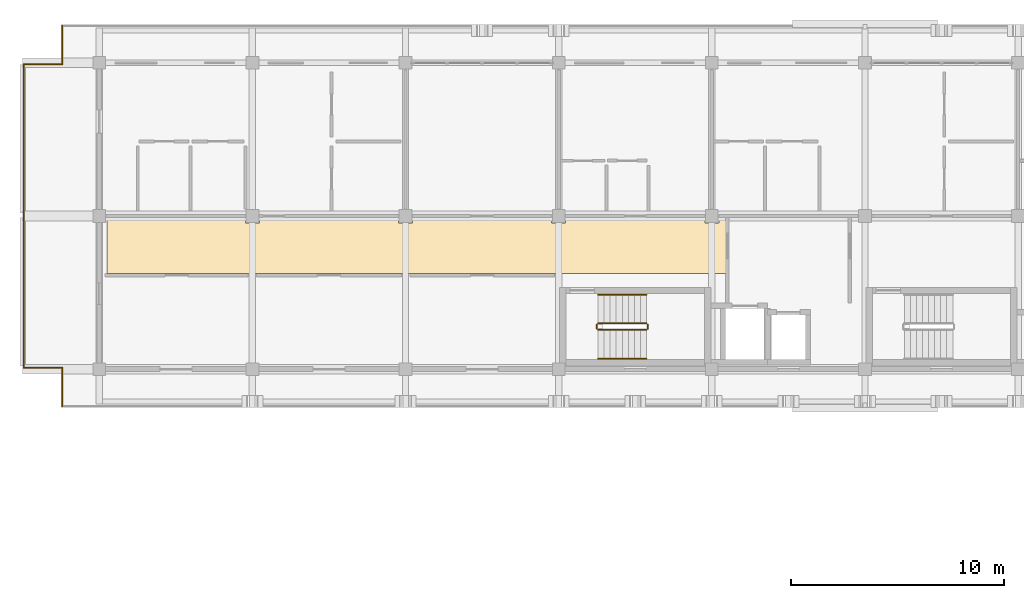
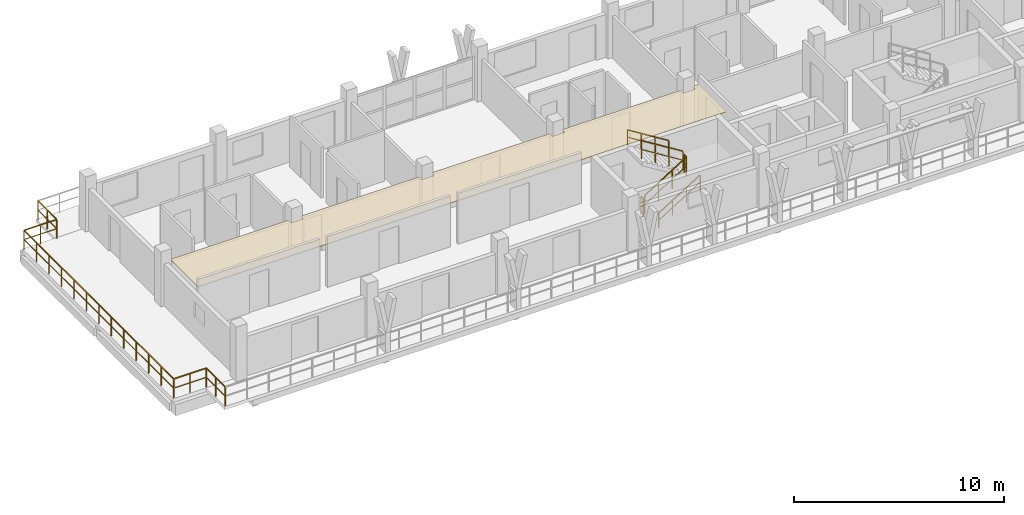
# One storey, part 49 of 56: 11 railings, 1 covering.
"""IFC4 building model written with IfcOpenShell, lengths in metres."""

from ifc_helpers import new_model, si_unit, direction, frame, origin, origin_2d, place, context, subcontext, project, spatial, polyline, rectangle, outline, extrude, material, layer, layer_set, type_object, element, save


model = new_model("IFC4")

# Units and contexts
model_context = context("Model", 3, precision=1e-05, world=origin(), true_north=direction((0.0, 1.0)))
body_context = subcontext(model_context, "Body", "Model", "MODEL_VIEW")
ifc_project = project(units=[si_unit("LENGTHUNIT", "METRE"), si_unit("AREAUNIT", "SQUARE_METRE"), si_unit("VOLUMEUNIT", "CUBIC_METRE"), si_unit("PLANEANGLEUNIT", "RADIAN"), si_unit("MASSUNIT", "GRAM", prefix="KILO")], contexts=[model_context])

# Site, building, storey
site_placement = place(None, origin())
site = spatial("IfcSite", under=ifc_project, at=site_placement, CompositionType="ELEMENT")
building_placement = place(site_placement, origin())
building = spatial("IfcBuilding", under=site, at=building_placement, Name="Suanplinth Sawtooth Commons", CompositionType="ELEMENT")
storey_placement = place(building_placement, frame((0.0, 0.0, 34.800048828125)))
storey = spatial("IfcBuildingStorey", under=building, at=storey_placement, Name="L10", CompositionType="ELEMENT", Elevation=34.800048828125)

# Covering
ifc_material_1 = material(Name="Mineral fibre acoustic tile")
ifc_layer = layer(ifc_material_1, 0.0400390625, Name="Perforated mineral-fibre acoustic suspended ceiling")
ifc_layer_set = layer_set([ifc_layer], Name="Mineral fibre acoustic tile")
covering_type = type_object("IfcCoveringType", Name="CV-CE01", PredefinedType="CEILING", material=ifc_layer_set)
covering_placement = place(storey_placement, frame((0.0, 0.0, 2.3798828125)))
element("IfcCovering", 1, at=covering_placement, inside=storey, type_object=covering_type, Name="L10 Block A Corridor Acoustic Ceiling", PredefinedType="CEILING", context=body_context, shape_type="SweptSolid", body=[
    extrude(outline(polyline([(21.9599609375, 112.5), (21.9599609375, 115.1201171875), (28.469970703125, 115.1201171875), (28.469970703125, 114.8701171875), (29.1298828125, 114.8701171875), (29.1298828125, 115.1201171875), (35.669921875, 115.1201171875), (35.669921875, 114.8701171875), (36.330078125, 114.8701171875), (36.330078125, 115.1201171875), (42.8701171875, 115.1201171875), (42.8701171875, 114.8701171875), (43.530029296875, 114.8701171875), (43.530029296875, 115.1201171875), (50.070068359375, 115.1201171875), (50.070068359375, 114.8701171875), (50.72998046875, 114.8701171875), (50.72998046875, 115.1201171875), (51.080078125, 115.1201171875), (51.080078125, 112.5), (21.9599609375, 112.5)])), origin(), (0.0, 0.0, 1.0), 0.0400390625),
])

# Railings
ifc_material_2 = material(Name="Powder-coated galvanized steel", Category="steel")
railing_type_1 = type_object("IfcRailingType", Name="GR-01", PredefinedType="BALUSTRADE", material=ifc_material_2)
railing_1_placement = place(storey_placement, frame((19.860107421875, 108.06005859375, 0.0)))
element("IfcRailing", 2, at=railing_1_placement, inside=storey, type_object=railing_type_1, Name="L10 Block A Perimeter Balustrade 1", PredefinedType="BALUSTRADE", context=body_context, shape_type="SweptSolid", body=[
    extrude(rectangle(XDim=0.048095703125, YDim=0.048095703125, at=origin_2d()), frame((0.0, 0.0, 1.09619140625), z_axis=(-1.0, 0.0, 0.0), x_axis=(0.0, -1.0, 0.0)), (0.0, 0.0, 1.0), 1.800048828125),
    extrude(rectangle(XDim=0.03369140625, YDim=0.03369140625, at=origin_2d()), frame((0.0, 0.0, 0.56005859375), z_axis=(-1.0, 0.0, 0.0), x_axis=(0.0, -1.0, 0.0)), (0.0, 0.0, 1.0), 1.800048828125),
    extrude(rectangle(XDim=0.0419921875, YDim=0.0419921875, at=origin_2d()), origin(), (0.0, 0.0, 1.0), 1.072021484375),
    extrude(rectangle(XDim=0.0419921875, YDim=0.0419921875, at=origin_2d()), frame((-0.89990234375, 0.0, 0.0)), (0.0, 0.0, 1.0), 1.072021484375),
    extrude(rectangle(XDim=0.0419921875, YDim=0.0419921875, at=origin_2d()), frame((-1.800048828125, 0.0, 0.0)), (0.0, 0.0, 1.0), 1.072021484375),
])
railing_2_placement = place(storey_placement, frame((18.06005859375, 108.06005859375, 0.0)))
element("IfcRailing", 3, at=railing_2_placement, inside=storey, type_object=railing_type_1, Name="L10 Block A Perimeter Balustrade 2", PredefinedType="BALUSTRADE", context=body_context, shape_type="SweptSolid", body=[
    extrude(rectangle(XDim=0.048095703125, YDim=0.048095703125, at=origin_2d()), frame((0.0, 0.0, 1.09619140625), z_axis=(0.0, 1.0, 0.0), x_axis=(-1.0, 0.0, 0.0)), (0.0, 0.0, 1.0), 14.280029296875),
    extrude(rectangle(XDim=0.03369140625, YDim=0.03369140625, at=origin_2d()), frame((0.0, 0.0, 0.56005859375), z_axis=(0.0, 1.0, 0.0), x_axis=(-1.0, 0.0, 0.0)), (0.0, 0.0, 1.0), 14.280029296875),
    extrude(rectangle(XDim=0.0419921875, YDim=0.0419921875, at=origin_2d()), origin(), (0.0, 0.0, 1.0), 1.072021484375),
    extrude(rectangle(XDim=0.0419921875, YDim=0.0419921875, at=origin_2d()), frame((0.0, 1.18994140625, 0.0)), (0.0, 0.0, 1.0), 1.072021484375),
    extrude(rectangle(XDim=0.0419921875, YDim=0.0419921875, at=origin_2d()), frame((0.0, 2.3798828125, 0.0)), (0.0, 0.0, 1.0), 1.072021484375),
    extrude(rectangle(XDim=0.0419921875, YDim=0.0419921875, at=origin_2d()), frame((0.0, 3.570068359375, 0.0)), (0.0, 0.0, 1.0), 1.072021484375),
    extrude(rectangle(XDim=0.0419921875, YDim=0.0419921875, at=origin_2d()), frame((0.0, 4.760009765625, 0.0)), (0.0, 0.0, 1.0), 1.072021484375),
    extrude(rectangle(XDim=0.0419921875, YDim=0.0419921875, at=origin_2d()), frame((0.0, 5.949951171875, 0.0)), (0.0, 0.0, 1.0), 1.072021484375),
    extrude(rectangle(XDim=0.0419921875, YDim=0.0419921875, at=origin_2d()), frame((0.0, 7.14013671875, 0.0)), (0.0, 0.0, 1.0), 1.072021484375),
    extrude(rectangle(XDim=0.0419921875, YDim=0.0419921875, at=origin_2d()), frame((0.0, 8.330078125, 0.0)), (0.0, 0.0, 1.0), 1.072021484375),
    extrude(rectangle(XDim=0.0419921875, YDim=0.0419921875, at=origin_2d()), frame((0.0, 9.52001953125, 0.0)), (0.0, 0.0, 1.0), 1.072021484375),
    extrude(rectangle(XDim=0.0419921875, YDim=0.0419921875, at=origin_2d()), frame((0.0, 10.7099609375, 0.0)), (0.0, 0.0, 1.0), 1.072021484375),
    extrude(rectangle(XDim=0.0419921875, YDim=0.0419921875, at=origin_2d()), frame((0.0, 11.89990234375, 0.0)), (0.0, 0.0, 1.0), 1.072021484375),
    extrude(rectangle(XDim=0.0419921875, YDim=0.0419921875, at=origin_2d()), frame((0.0, 13.090087890625, 0.0)), (0.0, 0.0, 1.0), 1.072021484375),
    extrude(rectangle(XDim=0.0419921875, YDim=0.0419921875, at=origin_2d()), frame((0.0, 14.280029296875, 0.0)), (0.0, 0.0, 1.0), 1.072021484375),
])
railing_3_placement = place(storey_placement, frame((18.06005859375, 122.340087890625, 0.0)))
element("IfcRailing", 4, at=railing_3_placement, inside=storey, type_object=railing_type_1, Name="L10 Block A Perimeter Balustrade 3", PredefinedType="BALUSTRADE", context=body_context, shape_type="SweptSolid", body=[
    extrude(rectangle(XDim=0.048095703125, YDim=0.048095703125, at=origin_2d()), frame((0.0, 0.0, 1.09619140625), z_axis=(1.0, 0.0, 0.0), x_axis=(0.0, 1.0, 0.0)), (0.0, 0.0, 1.0), 1.800048828125),
    extrude(rectangle(XDim=0.03369140625, YDim=0.03369140625, at=origin_2d()), frame((0.0, 0.0, 0.56005859375), z_axis=(1.0, 0.0, 0.0), x_axis=(0.0, 1.0, 0.0)), (0.0, 0.0, 1.0), 1.800048828125),
    extrude(rectangle(XDim=0.0419921875, YDim=0.0419921875, at=origin_2d()), origin(), (0.0, 0.0, 1.0), 1.072021484375),
    extrude(rectangle(XDim=0.0419921875, YDim=0.0419921875, at=origin_2d()), frame((0.89990234375, 0.0, 0.0)), (0.0, 0.0, 1.0), 1.072021484375),
    extrude(rectangle(XDim=0.0419921875, YDim=0.0419921875, at=origin_2d()), frame((1.800048828125, 0.0, 0.0)), (0.0, 0.0, 1.0), 1.072021484375),
])
railing_4_placement = place(storey_placement, frame((19.860107421875, 122.340087890625, 0.0)))
element("IfcRailing", 5, at=railing_4_placement, inside=storey, type_object=railing_type_1, Name="L10 Block A Perimeter Balustrade 4", PredefinedType="BALUSTRADE", context=body_context, shape_type="SweptSolid", body=[
    extrude(rectangle(XDim=0.048095703125, YDim=0.048095703125, at=origin_2d()), frame((0.0, 0.0, 1.09619140625), z_axis=(0.0, 1.0, 0.0), x_axis=(-1.0, 0.0, 0.0)), (0.0, 0.0, 1.0), 1.7998046875),
    extrude(rectangle(XDim=0.03369140625, YDim=0.03369140625, at=origin_2d()), frame((0.0, 0.0, 0.56005859375), z_axis=(0.0, 1.0, 0.0), x_axis=(-1.0, 0.0, 0.0)), (0.0, 0.0, 1.0), 1.7998046875),
    extrude(rectangle(XDim=0.0419921875, YDim=0.0419921875, at=origin_2d()), origin(), (0.0, 0.0, 1.0), 1.072021484375),
    extrude(rectangle(XDim=0.0419921875, YDim=0.0419921875, at=origin_2d()), frame((0.0, 0.89990234375, 0.0)), (0.0, 0.0, 1.0), 1.072021484375),
    extrude(rectangle(XDim=0.0419921875, YDim=0.0419921875, at=origin_2d()), frame((0.0, 1.7998046875, 0.0)), (0.0, 0.0, 1.0), 1.072021484375),
])
railing_5_placement = place(storey_placement, frame((19.860107421875, 106.260009765625, 0.0)))
element("IfcRailing", 6, at=railing_5_placement, inside=storey, type_object=railing_type_1, Name="L10 Block A Perimeter Balustrade 12", PredefinedType="BALUSTRADE", context=body_context, shape_type="SweptSolid", body=[
    extrude(rectangle(XDim=0.048095703125, YDim=0.048095703125, at=origin_2d()), frame((0.0, 0.0, 1.09619140625), z_axis=(0.0, 1.0, 0.0), x_axis=(-1.0, 0.0, 0.0)), (0.0, 0.0, 1.0), 1.800048828125),
    extrude(rectangle(XDim=0.03369140625, YDim=0.03369140625, at=origin_2d()), frame((0.0, 0.0, 0.56005859375), z_axis=(0.0, 1.0, 0.0), x_axis=(-1.0, 0.0, 0.0)), (0.0, 0.0, 1.0), 1.800048828125),
    extrude(rectangle(XDim=0.0419921875, YDim=0.0419921875, at=origin_2d()), origin(), (0.0, 0.0, 1.0), 1.072021484375),
    extrude(rectangle(XDim=0.0419921875, YDim=0.0419921875, at=origin_2d()), frame((0.0, 0.89990234375, 0.0)), (0.0, 0.0, 1.0), 1.072021484375),
    extrude(rectangle(XDim=0.0419921875, YDim=0.0419921875, at=origin_2d()), frame((0.0, 1.800048828125, 0.0)), (0.0, 0.0, 1.0), 1.072021484375),
])
ifc_material_3 = material(Name="Stainless steel Grade 304", Category="steel")
railing_type_2 = type_object("IfcRailingType", Name="GR-04", PredefinedType="GUARDRAIL", material=ifc_material_3)
railing_6_placement = place(storey_placement, frame((45.050048828125, 109.85009765625, 0.177734375)))
element("IfcRailing", 7, at=railing_6_placement, inside=storey, type_object=railing_type_2, Name="L10 ST-N1 Guard 1", PredefinedType="GUARDRAIL", context=body_context, shape_type="SweptSolid", body=[
    extrude(rectangle(XDim=0.048095703125, YDim=0.048095703125, at=origin_2d()), frame((0.0, 0.0, 1.076171875), z_axis=(0.848482842525, 0.0, 0.529222888715), x_axis=(0.0, 1.0, 0.0)), (0.0, 0.0, 1.0), 2.687255859375),
    extrude(rectangle(XDim=0.03369140625, YDim=0.03369140625, at=origin_2d()), frame((0.0, 0.0, 0.550048828125), z_axis=(0.848482842525, 0.0, 0.529222888715), x_axis=(0.0, 1.0, 0.0)), (0.0, 0.0, 1.0), 2.687255859375),
    extrude(rectangle(XDim=0.0419921875, YDim=0.0419921875, at=origin_2d()), origin(), (0.0, 0.0, 1.0), 1.052001953125),
    extrude(rectangle(XDim=0.0419921875, YDim=0.0419921875, at=origin_2d()), frame((0.760009765625, 0.0, 0.47412109375)), (0.0, 0.0, 1.0), 1.052001953125),
    extrude(rectangle(XDim=0.0419921875, YDim=0.0419921875, at=origin_2d()), frame((1.52001953125, 0.0, 0.947998046875)), (0.0, 0.0, 1.0), 1.052001953125),
    extrude(rectangle(XDim=0.0419921875, YDim=0.0419921875, at=origin_2d()), frame((2.280029296875, 0.0, 1.422119140625)), (0.0, 0.0, 1.0), 1.052001953125),
])
railing_7_placement = place(storey_placement, frame((47.3798828125, 109.89990234375, 1.599853515625)))
element("IfcRailing", 8, at=railing_7_placement, inside=storey, type_object=railing_type_2, Name="L10 ST-N1 Guard 2", PredefinedType="GUARDRAIL", context=body_context, shape_type="SweptSolid", body=[
    extrude(rectangle(XDim=0.048095703125, YDim=0.048095703125, at=origin_2d()), frame((0.0, 0.0, 1.076171875), z_axis=(0.0, 1.0, 0.0), x_axis=(-1.0, 0.0, 0.0)), (0.0, 0.0, 1.0), 0.2001953125),
    extrude(rectangle(XDim=0.03369140625, YDim=0.03369140625, at=origin_2d()), frame((0.0, 0.0, 0.550048828125), z_axis=(0.0, 1.0, 0.0), x_axis=(-1.0, 0.0, 0.0)), (0.0, 0.0, 1.0), 0.2001953125),
    extrude(rectangle(XDim=0.0419921875, YDim=0.0419921875, at=origin_2d()), origin(), (0.0, 0.0, 1.0), 1.052001953125),
    extrude(rectangle(XDim=0.0419921875, YDim=0.0419921875, at=origin_2d()), frame((0.0, 0.2001953125, 0.0)), (0.0, 0.0, 1.0), 1.052001953125),
])
railing_8_placement = place(storey_placement, frame((47.330078125, 110.14990234375, 1.77783203125)))
element("IfcRailing", 9, at=railing_8_placement, inside=storey, type_object=railing_type_2, Name="L10 ST-N1 Guard 3", PredefinedType="GUARDRAIL", context=body_context, shape_type="SweptSolid", body=[
    extrude(rectangle(XDim=0.048095703125, YDim=0.048095703125, at=origin_2d()), frame((0.0, 0.0, 1.076171875), z_axis=(-0.848482842525, 0.0, 0.529222888715), x_axis=(0.0, -1.0, 0.0)), (0.0, 0.0, 1.0), 2.687255859375),
    extrude(rectangle(XDim=0.03369140625, YDim=0.03369140625, at=origin_2d()), frame((0.0, 0.0, 0.550048828125), z_axis=(-0.848482842525, 0.0, 0.529222888715), x_axis=(0.0, -1.0, 0.0)), (0.0, 0.0, 1.0), 2.687255859375),
    extrude(rectangle(XDim=0.0419921875, YDim=0.0419921875, at=origin_2d()), origin(), (0.0, 0.0, 1.0), 1.052001953125),
    extrude(rectangle(XDim=0.0419921875, YDim=0.0419921875, at=origin_2d()), frame((-0.760009765625, 0.0, 0.47412109375)), (0.0, 0.0, 1.0), 1.052001953125),
    extrude(rectangle(XDim=0.0419921875, YDim=0.0419921875, at=origin_2d()), frame((-1.52001953125, 0.0, 0.947998046875)), (0.0, 0.0, 1.0), 1.052001953125),
    extrude(rectangle(XDim=0.0419921875, YDim=0.0419921875, at=origin_2d()), frame((-2.280029296875, 0.0, 1.422119140625)), (0.0, 0.0, 1.0), 1.052001953125),
])
railing_9_placement = place(storey_placement, frame((45.0, 109.89990234375, 0.0)))
element("IfcRailing", 10, at=railing_9_placement, inside=storey, type_object=railing_type_2, Name="L10 ST-N1 Guard 4", PredefinedType="GUARDRAIL", context=body_context, shape_type="SweptSolid", body=[
    extrude(rectangle(XDim=0.048095703125, YDim=0.048095703125, at=origin_2d()), frame((0.0, 0.0, 1.076171875), z_axis=(0.0, 1.0, 0.0), x_axis=(-1.0, 0.0, 0.0)), (0.0, 0.0, 1.0), 0.2001953125),
    extrude(rectangle(XDim=0.03369140625, YDim=0.03369140625, at=origin_2d()), frame((0.0, 0.0, 0.550048828125), z_axis=(0.0, 1.0, 0.0), x_axis=(-1.0, 0.0, 0.0)), (0.0, 0.0, 1.0), 0.2001953125),
    extrude(rectangle(XDim=0.0419921875, YDim=0.0419921875, at=origin_2d()), origin(), (0.0, 0.0, 1.0), 1.052001953125),
    extrude(rectangle(XDim=0.0419921875, YDim=0.0419921875, at=origin_2d()), frame((0.0, 0.2001953125, 0.0)), (0.0, 0.0, 1.0), 1.052001953125),
])
railing_type_3 = type_object("IfcRailingType", Name="HR-01", PredefinedType="HANDRAIL", material=ifc_material_3)
railing_10_placement = place(storey_placement, frame((45.050048828125, 108.5, 0.177734375)))
element("IfcRailing", 11, at=railing_10_placement, inside=storey, type_object=railing_type_3, Name="L10 ST-N1 Handrail 1", PredefinedType="HANDRAIL", context=body_context, shape_type="SweptSolid", body=[
    extrude(rectangle(XDim=0.048095703125, YDim=0.048095703125, at=origin_2d()), frame((0.0, 0.0, 0.8759765625), z_axis=(0.848482842525, 0.0, 0.529222888715), x_axis=(0.0, 1.0, 0.0)), (0.0, 0.0, 1.0), 2.687255859375),
    extrude(rectangle(XDim=0.03369140625, YDim=0.03369140625, at=origin_2d()), frame((0.0, 0.0, 0.449951171875), z_axis=(0.848482842525, 0.0, 0.529222888715), x_axis=(0.0, 1.0, 0.0)), (0.0, 0.0, 1.0), 2.687255859375),
    extrude(rectangle(XDim=0.0419921875, YDim=0.0419921875, at=origin_2d()), origin(), (0.0, 0.0, 1.0), 0.851806640625),
    extrude(rectangle(XDim=0.0419921875, YDim=0.0419921875, at=origin_2d()), frame((0.760009765625, 0.0, 0.47412109375)), (0.0, 0.0, 1.0), 0.851806640625),
    extrude(rectangle(XDim=0.0419921875, YDim=0.0419921875, at=origin_2d()), frame((1.52001953125, 0.0, 0.947998046875)), (0.0, 0.0, 1.0), 0.851806640625),
    extrude(rectangle(XDim=0.0419921875, YDim=0.0419921875, at=origin_2d()), frame((2.280029296875, 0.0, 1.422119140625)), (0.0, 0.0, 1.0), 0.851806640625),
])
railing_11_placement = place(storey_placement, frame((47.330078125, 111.5, 1.77783203125)))
element("IfcRailing", 12, at=railing_11_placement, inside=storey, type_object=railing_type_3, Name="L10 ST-N1 Handrail 2", PredefinedType="HANDRAIL", context=body_context, shape_type="SweptSolid", body=[
    extrude(rectangle(XDim=0.048095703125, YDim=0.048095703125, at=origin_2d()), frame((0.0, 0.0, 0.8759765625), z_axis=(-0.848482842525, 0.0, 0.529222888715), x_axis=(0.0, -1.0, 0.0)), (0.0, 0.0, 1.0), 2.687255859375),
    extrude(rectangle(XDim=0.03369140625, YDim=0.03369140625, at=origin_2d()), frame((0.0, 0.0, 0.449951171875), z_axis=(-0.848482842525, 0.0, 0.529222888715), x_axis=(0.0, -1.0, 0.0)), (0.0, 0.0, 1.0), 2.687255859375),
    extrude(rectangle(XDim=0.0419921875, YDim=0.0419921875, at=origin_2d()), origin(), (0.0, 0.0, 1.0), 0.851806640625),
    extrude(rectangle(XDim=0.0419921875, YDim=0.0419921875, at=origin_2d()), frame((-0.760009765625, 0.0, 0.47412109375)), (0.0, 0.0, 1.0), 0.851806640625),
    extrude(rectangle(XDim=0.0419921875, YDim=0.0419921875, at=origin_2d()), frame((-1.52001953125, 0.0, 0.947998046875)), (0.0, 0.0, 1.0), 0.851806640625),
    extrude(rectangle(XDim=0.0419921875, YDim=0.0419921875, at=origin_2d()), frame((-2.280029296875, 0.0, 1.422119140625)), (0.0, 0.0, 1.0), 0.851806640625),
])

save(model, "model.ifc")
